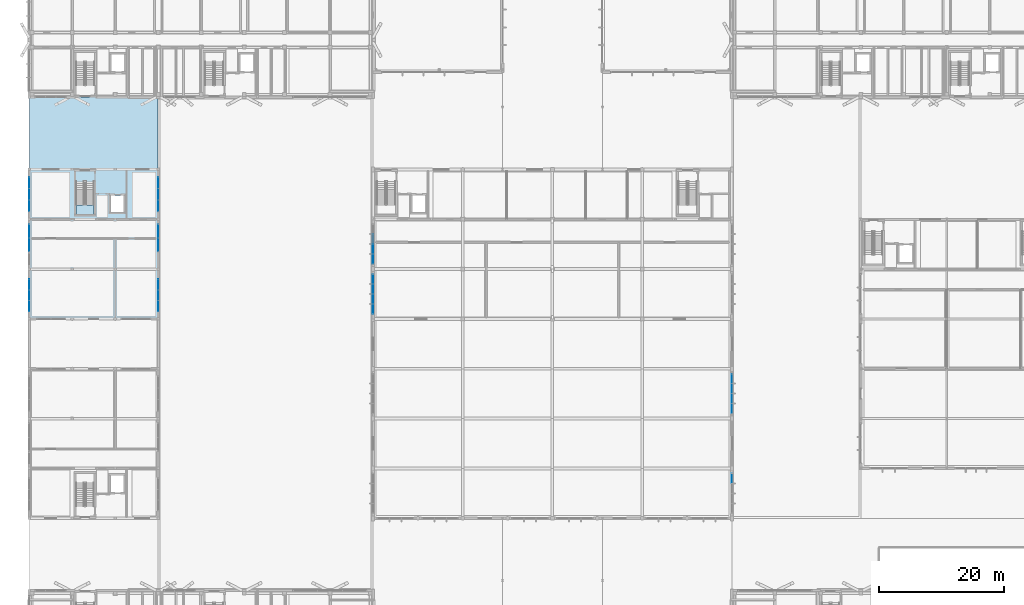
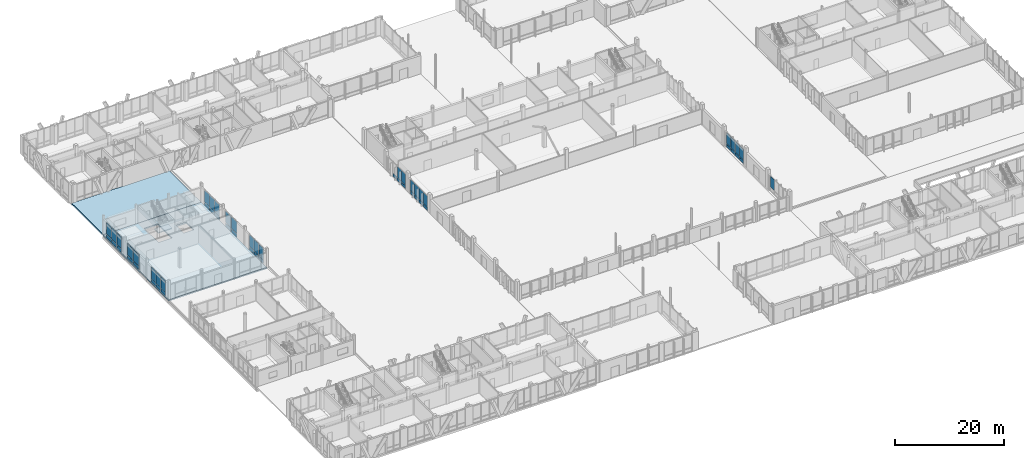
# One storey, part 181 of 233: 54 plates, 3 slabs, 11 elements without a shape of their own.
"""IFC4 building model written with IfcOpenShell, lengths in metres."""

import ifcopenshell
import ifcopenshell.guid

model = None  # the IFC model being written
_history = None  # IfcOwnerHistory: only IFC2X3 demands one
_inside = {}  # id of a spatial element -> (the spatial element, [elements in it])
_under = {}  # id of a project, library or spatial element -> (it, [spatial elements below it])
_declared = {}  # id of a project -> (the project, [libraries it declares])
_typed = {}  # id of a type object -> (the type object, [elements of that type])
_made_of = {}  # id of a material, layer set ... -> (it, [elements and type objects made of it])


def new_model(schema):
    """Start an empty IFC model of exactly this schema.

    Asked for "IFC4X3", IfcOpenShell would pick the latest addendum, in which some entities
    have other attributes; the version numbers below select the first issue.
    IFC2X3 requires an IfcOwnerHistory on every rooted entity: one is made here for all.
    """
    global model, _history
    if schema == "IFC4X3":
        model = ifcopenshell.file(schema_version=(4, 3, 0, 0))
    else:
        model = ifcopenshell.file(schema=schema)
    _inside.clear()
    _under.clear()
    _declared.clear()
    _typed.clear()
    _made_of.clear()
    _history = None
    if model.schema == "IFC2X3":
        org = make("IfcOrganization", Name="unknown")
        user = make(
            "IfcPersonAndOrganization",
            ThePerson=make("IfcPerson", FamilyName="unknown"),
            TheOrganization=org,
        )
        app = make(
            "IfcApplication",
            ApplicationDeveloper=org,
            Version="unknown",
            ApplicationFullName="unknown",
            ApplicationIdentifier="unknown",
        )
        _history = make(
            "IfcOwnerHistory",
            OwningUser=user,
            OwningApplication=app,
            ChangeAction="ADDED",
            CreationDate=0,
        )
    return model


def make(cls, **values):
    """One entity of the class cls with the attributes given. An attribute that is None is left unset."""
    return model.create_entity(
        cls, **{name: value for name, value in values.items() if value is not None}
    )


def rooted(cls, **values):
    """An entity with a GlobalId (a new one), such as an element, a storey or a relation."""
    return make(cls, GlobalId=ifcopenshell.guid.new(), OwnerHistory=_history, **values)


def si_unit(unit_type, name, prefix=None):
    """IfcSIUnit, for example si_unit("LENGTHUNIT", "METRE", prefix="MILLI")."""
    return make("IfcSIUnit", UnitType=unit_type, Prefix=prefix, Name=name)


def assignment(units):
    """IfcUnitAssignment: the units of a project."""
    return None if units is None else make("IfcUnitAssignment", Units=units)


def point(xyz):
    """IfcCartesianPoint."""
    return None if xyz is None else make("IfcCartesianPoint", Coordinates=xyz)


def direction(xyz):
    """IfcDirection."""
    return None if xyz is None else make("IfcDirection", DirectionRatios=xyz)


def frame(location, z_axis=None, x_axis=None):
    """IfcAxis2Placement3D, a coordinate frame: its origin and axes. An axis left out is left unset."""
    return make(
        "IfcAxis2Placement3D",
        Location=point(location),
        Axis=direction(z_axis),
        RefDirection=direction(x_axis),
    )


def frame_2d(location, x_axis=None):
    """IfcAxis2Placement2D, a coordinate frame in the plane: its origin and x axis."""
    return make(
        "IfcAxis2Placement2D", Location=point(location), RefDirection=direction(x_axis)
    )


def origin():
    """The frame at (0, 0, 0) with its axes left unset."""
    return frame((0.0, 0.0, 0.0))


def origin_2d():
    """The frame at (0, 0) in the plane with its x axis left unset."""
    return frame_2d((0.0, 0.0))


def place(relative_to, where):
    """IfcLocalPlacement: puts the frame where relative to a parent placement (None: the world)."""
    return make(
        "IfcLocalPlacement", PlacementRelTo=relative_to, RelativePlacement=where
    )


def context(
    kind, dimensions, precision=None, world=None, true_north=None, identifier=None
):
    """IfcGeometricRepresentationContext, for example the 3D "Model" context."""
    return make(
        "IfcGeometricRepresentationContext",
        ContextIdentifier=identifier,
        ContextType=kind,
        CoordinateSpaceDimension=dimensions,
        Precision=precision,
        WorldCoordinateSystem=world,
        TrueNorth=true_north,
    )


def subcontext(parent, identifier, kind, view, scale=None):
    """IfcGeometricRepresentationSubContext, for example "Body" below "Model"."""
    return make(
        "IfcGeometricRepresentationSubContext",
        ContextIdentifier=identifier,
        ContextType=kind,
        ParentContext=parent,
        TargetScale=scale,
        TargetView=view,
    )


def project(units=None, contexts=None):
    """IfcProject with its units and contexts."""
    return rooted(
        "IfcProject",
        Name="project",
        RepresentationContexts=contexts,
        UnitsInContext=assignment(units),
    )


def spatial(cls, under=None, at=None, **own):
    """A site, building, storey or space (cls), placed at a placement, below another one or the project."""
    s = rooted(cls, ObjectPlacement=at, **own)
    if under is not None:
        _under.setdefault(under.id(), (under, []))[1].append(s)
    return s


def polyline(points):
    """IfcPolyline through the points."""
    return make("IfcPolyline", Points=[point(p) for p in points])


def profile(cls, at=None, kind="AREA", **sizes):
    """A parametric profile (cls). Its sizes go by their IFC names, for example OverallWidth=200.0."""
    return make(cls, ProfileType=kind, Position=at, **sizes)


def rectangle(**sizes):
    """IfcRectangleProfileDef."""
    return profile("IfcRectangleProfileDef", **sizes)


def outline(outer, holes=None, kind="AREA"):
    """IfcArbitraryClosedProfileDef: a profile drawn as a closed curve; with holes, ...WithVoids."""
    if holes is None:
        return make("IfcArbitraryClosedProfileDef", ProfileType=kind, OuterCurve=outer)
    return make(
        "IfcArbitraryProfileDefWithVoids",
        ProfileType=kind,
        OuterCurve=outer,
        InnerCurves=holes,
    )


def extrude(swept, where, along, depth):
    """IfcExtrudedAreaSolid: the profile swept, set in the frame where, extruded along a direction by depth."""
    return make(
        "IfcExtrudedAreaSolid",
        SweptArea=swept,
        Position=where,
        ExtrudedDirection=direction(along),
        Depth=depth,
    )


def shape(context_of_items, identifier, shape_type, items):
    """IfcShapeRepresentation: the items that make up one representation, for example the "Body"."""
    return make(
        "IfcShapeRepresentation",
        ContextOfItems=context_of_items,
        RepresentationIdentifier=identifier,
        RepresentationType=shape_type,
        Items=items,
    )


def material(Name=None, Category=None):
    """IfcMaterial."""
    return make("IfcMaterial", Name=Name, Category=Category)


def layer(
    of_material, thickness, ventilated=None, Name=None, Category=None, Priority=None
):
    """IfcMaterialLayer: one layer of a wall or slab, of a material (None: an air gap)."""
    return make(
        "IfcMaterialLayer",
        Material=of_material,
        LayerThickness=thickness,
        IsVentilated=ventilated,
        Name=Name,
        Category=Category,
        Priority=Priority,
    )


def layer_set(layers, Name=None):
    """IfcMaterialLayerSet."""
    return make("IfcMaterialLayerSet", MaterialLayers=layers, LayerSetName=Name)


def made_of(thing, what):
    """Note that an element or type object is made of a material, layer set ...; save() writes the relation."""
    if what is not None:
        _made_of.setdefault(what.id(), (what, []))[1].append(thing)
    return thing


def type_object(cls, material=None, **own):
    """A type object (cls), such as IfcWallType, which elements share."""
    return made_of(rooted(cls, **own), material)


def element(
    cls,
    number,
    at=None,
    inside=None,
    cuts=None,
    type_object=None,
    material=None,
    context=None,
    identifier="Body",
    shape_type=None,
    held_by="IfcProductDefinitionShape",
    body=None,
    shapes=None,
    **own,
):
    """One element of the class cls, such as IfcWall. Its Tag is "e" and its number.

    at: its placement. inside: the storey or other place that contains it. cuts: it is an
    opening in that element (IfcRelVoidsElement). A single representation is given by context,
    identifier, shape_type and body (its items); several are given by shapes. held_by: the class
    of the entity that holds the representations. save() writes the other relations.
    """
    e = rooted(cls, Tag="e%d" % number, ObjectPlacement=at, **own)
    if body is not None:
        shapes = [shape(context, identifier, shape_type, body)]
    if shapes is not None:
        e.Representation = make(held_by, Representations=shapes)
    if inside is not None:
        _inside.setdefault(inside.id(), (inside, []))[1].append(e)
    if cuts is not None:
        rooted(
            "IfcRelVoidsElement", RelatingBuildingElement=cuts, RelatedOpeningElement=e
        )
    if type_object is not None:
        _typed.setdefault(type_object.id(), (type_object, []))[1].append(e)
    return made_of(e, material)


def aggregate(whole, parts):
    """IfcRelAggregates: a whole, such as a stair, and the parts it consists of."""
    return rooted("IfcRelAggregates", RelatingObject=whole, RelatedObjects=parts)


def save(model, path):
    """Write the relations noted so far, then the file.

    IfcRelAggregates (storeys below a building ...), IfcRelContainedInSpatialStructure (elements
    in a storey), IfcRelDefinesByType, IfcRelAssociatesMaterial and IfcRelDeclares: one each for
    every whole, place, type object, material and project.
    """
    for whole, parts in _under.values():
        aggregate(whole, parts)
    for where, things in _inside.values():
        rooted(
            "IfcRelContainedInSpatialStructure",
            RelatedElements=things,
            RelatingStructure=where,
        )
    for kind, things in _typed.values():
        rooted("IfcRelDefinesByType", RelatedObjects=things, RelatingType=kind)
    for what, things in _made_of.values():
        rooted("IfcRelAssociatesMaterial", RelatedObjects=things, RelatingMaterial=what)
    for by, libraries in _declared.values():
        rooted("IfcRelDeclares", RelatingContext=by, RelatedDefinitions=libraries)
    model.write(path)


model = new_model("IFC4")

# Units and contexts
model_context = context("Model", 3, precision=1e-05, world=origin(), true_north=direction((0.0, 1.0)))
body_context = subcontext(model_context, "Body", "Model", "MODEL_VIEW")
ifc_project = project(units=[si_unit("LENGTHUNIT", "METRE"), si_unit("AREAUNIT", "SQUARE_METRE"), si_unit("VOLUMEUNIT", "CUBIC_METRE"), si_unit("PLANEANGLEUNIT", "RADIAN"), si_unit("MASSUNIT", "GRAM", prefix="KILO")], contexts=[model_context])

# Site, building, storey
site_placement = place(None, origin())
site = spatial("IfcSite", under=ifc_project, at=site_placement, CompositionType="ELEMENT")
building_placement = place(site_placement, origin())
building = spatial("IfcBuilding", under=site, at=building_placement, Name="Zavelmont Quarter", CompositionType="ELEMENT")
storey_placement = place(building_placement, origin())
storey = spatial("IfcBuildingStorey", under=building, at=storey_placement, Name="L00", CompositionType="ELEMENT", Elevation=0.0)

# Curtain wall, plates
ifc_material_1 = material(Name="Thermally broken aluminium and double low-E safety glazing", Category="aluminium")
curtain_wall_type_1 = type_object("IfcCurtainWallType", Name="CW-640X336", PredefinedType="NOTDEFINED", material=ifc_material_1)
curtain_wall_1_placement = place(storey_placement, origin())
curtain_wall_1 = element("IfcCurtainWall", 1, at=curtain_wall_1_placement, inside=storey, type_object=curtain_wall_type_1, Name="L00 unitised curtain wall CW-640X336", PredefinedType="NOTDEFINED")
ifc_material_2 = material(Name="Insulated anodised-aluminium spandrel panel", Category="aluminium")
ifc_layer_1 = layer(ifc_material_2, 0.0400390625)
ifc_layer_set_1 = layer_set([ifc_layer_1], Name="Insulated anodised-aluminium spandrel panel")
plate_type_1 = type_object("IfcPlateType", Name="CWP-SPD-1495X700", PredefinedType="CURTAIN_PANEL", material=ifc_layer_set_1)
plate_1_placement = place(storey_placement, frame((55.199951171875, 63.617431640625, 0.06982421875), z_axis=(0.0, 0.0, 1.0), x_axis=(0.0, 1.0, 0.0)))
plate_1 = element("IfcPlate", 2, at=plate_1_placement, type_object=plate_type_1, Name="CW-640X336 panel 1.1", PredefinedType="CURTAIN_PANEL", context=body_context, shape_type="SweptSolid", body=[
    extrude(rectangle(XDim=1.4951171875, YDim=0.0400390625, at=origin_2d()), origin(), (0.0, 0.0, 1.0), 0.700927734375),
])
plate_2_placement = place(storey_placement, frame((55.199951171875, 68.382568359375, 0.06982421875), z_axis=(0.0, 0.0, 1.0), x_axis=(0.0, 1.0, 0.0)))
plate_2 = element("IfcPlate", 3, at=plate_2_placement, type_object=plate_type_1, Name="CW-640X336 panel 4.1", PredefinedType="CURTAIN_PANEL", context=body_context, shape_type="SweptSolid", body=[
    extrude(rectangle(XDim=1.4951171875, YDim=0.0400390625, at=origin_2d()), origin(), (0.0, 0.0, 1.0), 0.700927734375),
])

# Curtain wall, plate
curtain_wall_2_placement = place(storey_placement, origin())
curtain_wall_2 = element("IfcCurtainWall", 4, at=curtain_wall_2_placement, inside=storey, type_object=curtain_wall_type_1, Name="L00 unitised curtain wall CW-640X336", PredefinedType="NOTDEFINED")
plate_3_placement = place(storey_placement, frame((55.199951171875, 71.617431640625, 0.06982421875), z_axis=(0.0, 0.0, 1.0), x_axis=(0.0, 1.0, 0.0)))
plate_3 = element("IfcPlate", 5, at=plate_3_placement, type_object=plate_type_1, Name="CW-640X336 panel 1.1", PredefinedType="CURTAIN_PANEL", context=body_context, shape_type="SweptSolid", body=[
    extrude(rectangle(XDim=1.4951171875, YDim=0.0400390625, at=origin_2d()), origin(), (0.0, 0.0, 1.0), 0.700927734375),
])

# Curtain wall, plates
curtain_wall_3_placement = place(storey_placement, origin())
curtain_wall_3 = element("IfcCurtainWall", 6, at=curtain_wall_3_placement, inside=storey, type_object=curtain_wall_type_1, Name="L00 unitised curtain wall CW-640X336", PredefinedType="NOTDEFINED")
plate_4_placement = place(storey_placement, frame((112.800048828125, 47.617431640625, 0.06982421875), z_axis=(0.0, 0.0, 1.0), x_axis=(0.0, 1.0, 0.0)))
plate_4 = element("IfcPlate", 7, at=plate_4_placement, type_object=plate_type_1, Name="CW-640X336 panel 1.1", PredefinedType="CURTAIN_PANEL", context=body_context, shape_type="SweptSolid", body=[
    extrude(rectangle(XDim=1.4951171875, YDim=0.0400390625, at=origin_2d()), origin(), (0.0, 0.0, 1.0), 0.700927734375),
])
plate_5_placement = place(storey_placement, frame((112.800048828125, 52.382568359375, 0.06982421875), z_axis=(0.0, 0.0, 1.0), x_axis=(0.0, 1.0, 0.0)))
plate_5 = element("IfcPlate", 8, at=plate_5_placement, type_object=plate_type_1, Name="CW-640X336 panel 4.1", PredefinedType="CURTAIN_PANEL", context=body_context, shape_type="SweptSolid", body=[
    extrude(rectangle(XDim=1.4951171875, YDim=0.0400390625, at=origin_2d()), origin(), (0.0, 0.0, 1.0), 0.700927734375),
])

# Plate
ifc_layer_2 = layer(ifc_material_2, 0.0400390625)
ifc_layer_set_2 = layer_set([ifc_layer_2], Name="Insulated anodised-aluminium spandrel panel")
plate_type_2 = type_object("IfcPlateType", Name="CWP-SPD-1530X700", PredefinedType="CURTAIN_PANEL", material=ifc_layer_set_2)
plate_6_placement = place(storey_placement, frame((55.199951171875, 65.199951171875, 0.06982421875), z_axis=(0.0, 0.0, 1.0), x_axis=(0.0, 1.0, 0.0)))
plate_6 = element("IfcPlate", 9, at=plate_6_placement, type_object=plate_type_2, Name="CW-640X336 panel 2.1", PredefinedType="CURTAIN_PANEL", context=body_context, shape_type="SweptSolid", body=[
    extrude(rectangle(XDim=1.530029296875, YDim=0.0400390625, at=origin_2d()), origin(), (0.0, 0.0, 1.0), 0.700927734375),
])

plate_7_placement = place(storey_placement, frame((55.199951171875, 66.800048828125, 0.06982421875), z_axis=(0.0, 0.0, 1.0), x_axis=(0.0, 1.0, 0.0)))
plate_7 = element("IfcPlate", 10, at=plate_7_placement, type_object=plate_type_2, Name="CW-640X336 panel 3.1", PredefinedType="CURTAIN_PANEL", context=body_context, shape_type="SweptSolid", body=[
    extrude(rectangle(XDim=1.530029296875, YDim=0.0400390625, at=origin_2d()), origin(), (0.0, 0.0, 1.0), 0.700927734375),
])

plate_8_placement = place(storey_placement, frame((55.199951171875, 73.199951171875, 0.06982421875), z_axis=(0.0, 0.0, 1.0), x_axis=(0.0, 1.0, 0.0)))
plate_8 = element("IfcPlate", 11, at=plate_8_placement, type_object=plate_type_2, Name="CW-640X336 panel 2.1", PredefinedType="CURTAIN_PANEL", context=body_context, shape_type="SweptSolid", body=[
    extrude(rectangle(XDim=1.530029296875, YDim=0.0400390625, at=origin_2d()), origin(), (0.0, 0.0, 1.0), 0.700927734375),
])

plate_9_placement = place(storey_placement, frame((55.199951171875, 74.800048828125, 0.06982421875), z_axis=(0.0, 0.0, 1.0), x_axis=(0.0, 1.0, 0.0)))
plate_9 = element("IfcPlate", 12, at=plate_9_placement, type_object=plate_type_2, Name="CW-640X336 panel 3.1", PredefinedType="CURTAIN_PANEL", context=body_context, shape_type="SweptSolid", body=[
    extrude(rectangle(XDim=1.530029296875, YDim=0.0400390625, at=origin_2d()), origin(), (0.0, 0.0, 1.0), 0.700927734375),
])

plate_10_placement = place(storey_placement, frame((112.800048828125, 49.199951171875, 0.06982421875), z_axis=(0.0, 0.0, 1.0), x_axis=(0.0, 1.0, 0.0)))
plate_10 = element("IfcPlate", 13, at=plate_10_placement, type_object=plate_type_2, Name="CW-640X336 panel 2.1", PredefinedType="CURTAIN_PANEL", context=body_context, shape_type="SweptSolid", body=[
    extrude(rectangle(XDim=1.530029296875, YDim=0.0400390625, at=origin_2d()), origin(), (0.0, 0.0, 1.0), 0.700927734375),
])

plate_11_placement = place(storey_placement, frame((112.800048828125, 50.800048828125, 0.06982421875), z_axis=(0.0, 0.0, 1.0), x_axis=(0.0, 1.0, 0.0)))
plate_11 = element("IfcPlate", 14, at=plate_11_placement, type_object=plate_type_2, Name="CW-640X336 panel 3.1", PredefinedType="CURTAIN_PANEL", context=body_context, shape_type="SweptSolid", body=[
    extrude(rectangle(XDim=1.530029296875, YDim=0.0400390625, at=origin_2d()), origin(), (0.0, 0.0, 1.0), 0.700927734375),
])

# Curtain wall, plates
curtain_wall_type_2 = type_object("IfcCurtainWallType", Name="CW-520X356", PredefinedType="NOTDEFINED", material=ifc_material_1)
curtain_wall_4_placement = place(storey_placement, origin())
curtain_wall_4 = element("IfcCurtainWall", 15, at=curtain_wall_4_placement, inside=storey, type_object=curtain_wall_type_2, Name="L00 unitised curtain wall CW-520X356", PredefinedType="NOTDEFINED")
ifc_layer_3 = layer(ifc_material_2, 0.0400390625)
ifc_layer_set_3 = layer_set([ifc_layer_3], Name="Insulated anodised-aluminium spandrel panel")
plate_type_3 = type_object("IfcPlateType", Name="CWP-SPD-1645X760", PredefinedType="CURTAIN_PANEL", material=ifc_layer_set_3)
plate_12_placement = place(storey_placement, frame((0.0, 64.081787109375, 0.06005859375), z_axis=(0.0, 0.0, 1.0), x_axis=(0.0, 1.0, 0.0)))
plate_12 = element("IfcPlate", 16, at=plate_12_placement, type_object=plate_type_3, Name="CW-520X356 panel 1.1", PredefinedType="CURTAIN_PANEL", context=body_context, shape_type="SweptSolid", body=[
    extrude(rectangle(XDim=1.643310546875, YDim=0.0400390625, at=origin_2d()), origin(), (0.0, 0.0, 1.0), 0.760009765625),
])
plate_13_placement = place(storey_placement, frame((0.0, 67.518310546875, 0.06005859375), z_axis=(0.0, 0.0, 1.0), x_axis=(0.0, 1.0, 0.0)))
plate_13 = element("IfcPlate", 17, at=plate_13_placement, type_object=plate_type_3, Name="CW-520X356 panel 3.1", PredefinedType="CURTAIN_PANEL", context=body_context, shape_type="SweptSolid", body=[
    extrude(rectangle(XDim=1.643310546875, YDim=0.0400390625, at=origin_2d()), origin(), (0.0, 0.0, 1.0), 0.760009765625),
])

curtain_wall_5_placement = place(storey_placement, origin())
curtain_wall_5 = element("IfcCurtainWall", 18, at=curtain_wall_5_placement, inside=storey, type_object=curtain_wall_type_2, Name="L00 unitised curtain wall CW-520X356", PredefinedType="NOTDEFINED")
plate_14_placement = place(storey_placement, frame((20.699951171875, 64.081787109375, 0.06005859375), z_axis=(0.0, 0.0, 1.0), x_axis=(0.0, 1.0, 0.0)))
plate_14 = element("IfcPlate", 19, at=plate_14_placement, type_object=plate_type_3, Name="CW-520X356 panel 1.1", PredefinedType="CURTAIN_PANEL", context=body_context, shape_type="SweptSolid", body=[
    extrude(rectangle(XDim=1.643310546875, YDim=0.0400390625, at=origin_2d()), origin(), (0.0, 0.0, 1.0), 0.760009765625),
])
plate_15_placement = place(storey_placement, frame((20.699951171875, 67.518310546875, 0.06005859375), z_axis=(0.0, 0.0, 1.0), x_axis=(0.0, 1.0, 0.0)))
plate_15 = element("IfcPlate", 20, at=plate_15_placement, type_object=plate_type_3, Name="CW-520X356 panel 3.1", PredefinedType="CURTAIN_PANEL", context=body_context, shape_type="SweptSolid", body=[
    extrude(rectangle(XDim=1.643310546875, YDim=0.0400390625, at=origin_2d()), origin(), (0.0, 0.0, 1.0), 0.760009765625),
])

# Plate
ifc_layer_4 = layer(ifc_material_2, 0.0400390625)
ifc_layer_set_4 = layer_set([ifc_layer_4], Name="Insulated anodised-aluminium spandrel panel")
plate_type_4 = type_object("IfcPlateType", Name="CWP-SPD-1675X760", PredefinedType="CURTAIN_PANEL", material=ifc_layer_set_4)
plate_16_placement = place(storey_placement, frame((0.0, 65.800048828125, 0.06005859375), z_axis=(0.0, 0.0, 1.0), x_axis=(0.0, 1.0, 0.0)))
plate_16 = element("IfcPlate", 21, at=plate_16_placement, type_object=plate_type_4, Name="CW-520X356 panel 2.1", PredefinedType="CURTAIN_PANEL", context=body_context, shape_type="SweptSolid", body=[
    extrude(rectangle(XDim=1.67333984375, YDim=0.0400390625, at=origin_2d()), origin(), (0.0, 0.0, 1.0), 0.760009765625),
])

plate_17_placement = place(storey_placement, frame((20.699951171875, 65.800048828125, 0.06005859375), z_axis=(0.0, 0.0, 1.0), x_axis=(0.0, 1.0, 0.0)))
plate_17 = element("IfcPlate", 22, at=plate_17_placement, type_object=plate_type_4, Name="CW-520X356 panel 2.1", PredefinedType="CURTAIN_PANEL", context=body_context, shape_type="SweptSolid", body=[
    extrude(rectangle(XDim=1.67333984375, YDim=0.0400390625, at=origin_2d()), origin(), (0.0, 0.0, 1.0), 0.760009765625),
])

# Curtain wall, plates
curtain_wall_type_3 = type_object("IfcCurtainWallType", Name="CW-560X356", PredefinedType="NOTDEFINED", material=ifc_material_1)
curtain_wall_6_placement = place(storey_placement, origin())
curtain_wall_6 = element("IfcCurtainWall", 23, at=curtain_wall_6_placement, inside=storey, type_object=curtain_wall_type_3, Name="L00 unitised curtain wall CW-560X356", PredefinedType="NOTDEFINED")
ifc_layer_5 = layer(ifc_material_2, 0.0400390625)
ifc_layer_set_5 = layer_set([ifc_layer_5], Name="Insulated anodised-aluminium spandrel panel")
plate_type_5 = type_object("IfcPlateType", Name="CWP-SPD-1775X760", PredefinedType="CURTAIN_PANEL", material=ifc_layer_set_5)
plate_18_placement = place(storey_placement, frame((0.0, 80.1484375, 0.06005859375), z_axis=(0.0, 0.0, 1.0), x_axis=(0.0, 1.0, 0.0)))
plate_18 = element("IfcPlate", 24, at=plate_18_placement, type_object=plate_type_5, Name="CW-560X356 panel 1.1", PredefinedType="CURTAIN_PANEL", context=body_context, shape_type="SweptSolid", body=[
    extrude(rectangle(XDim=1.776611328125, YDim=0.0400390625, at=origin_2d()), origin(), (0.0, 0.0, 1.0), 0.760009765625),
])
plate_19_placement = place(storey_placement, frame((0.0, 83.8515625, 0.06005859375), z_axis=(0.0, 0.0, 1.0), x_axis=(0.0, 1.0, 0.0)))
plate_19 = element("IfcPlate", 25, at=plate_19_placement, type_object=plate_type_5, Name="CW-560X356 panel 3.1", PredefinedType="CURTAIN_PANEL", context=body_context, shape_type="SweptSolid", body=[
    extrude(rectangle(XDim=1.776611328125, YDim=0.0400390625, at=origin_2d()), origin(), (0.0, 0.0, 1.0), 0.760009765625),
])

curtain_wall_7_placement = place(storey_placement, origin())
curtain_wall_7 = element("IfcCurtainWall", 26, at=curtain_wall_7_placement, inside=storey, type_object=curtain_wall_type_3, Name="L00 unitised curtain wall CW-560X356", PredefinedType="NOTDEFINED")
plate_20_placement = place(storey_placement, frame((20.699951171875, 80.1484375, 0.06005859375), z_axis=(0.0, 0.0, 1.0), x_axis=(0.0, 1.0, 0.0)))
plate_20 = element("IfcPlate", 27, at=plate_20_placement, type_object=plate_type_5, Name="CW-560X356 panel 1.1", PredefinedType="CURTAIN_PANEL", context=body_context, shape_type="SweptSolid", body=[
    extrude(rectangle(XDim=1.776611328125, YDim=0.0400390625, at=origin_2d()), origin(), (0.0, 0.0, 1.0), 0.760009765625),
])
plate_21_placement = place(storey_placement, frame((20.699951171875, 83.8515625, 0.06005859375), z_axis=(0.0, 0.0, 1.0), x_axis=(0.0, 1.0, 0.0)))
plate_21 = element("IfcPlate", 28, at=plate_21_placement, type_object=plate_type_5, Name="CW-560X356 panel 3.1", PredefinedType="CURTAIN_PANEL", context=body_context, shape_type="SweptSolid", body=[
    extrude(rectangle(XDim=1.776611328125, YDim=0.0400390625, at=origin_2d()), origin(), (0.0, 0.0, 1.0), 0.760009765625),
])

# Plate
ifc_layer_6 = layer(ifc_material_2, 0.0400390625)
ifc_layer_set_6 = layer_set([ifc_layer_6], Name="Insulated anodised-aluminium spandrel panel")
plate_type_6 = type_object("IfcPlateType", Name="CWP-SPD-1805X760", PredefinedType="CURTAIN_PANEL", material=ifc_layer_set_6)
plate_22_placement = place(storey_placement, frame((0.0, 82.0, 0.06005859375), z_axis=(0.0, 0.0, 1.0), x_axis=(0.0, 1.0, 0.0)))
plate_22 = element("IfcPlate", 29, at=plate_22_placement, type_object=plate_type_6, Name="CW-560X356 panel 2.1", PredefinedType="CURTAIN_PANEL", context=body_context, shape_type="SweptSolid", body=[
    extrude(rectangle(XDim=1.806640625, YDim=0.0400390625, at=origin_2d()), origin(), (0.0, 0.0, 1.0), 0.760009765625),
])

plate_23_placement = place(storey_placement, frame((20.699951171875, 82.0, 0.06005859375), z_axis=(0.0, 0.0, 1.0), x_axis=(0.0, 1.0, 0.0)))
plate_23 = element("IfcPlate", 30, at=plate_23_placement, type_object=plate_type_6, Name="CW-560X356 panel 2.1", PredefinedType="CURTAIN_PANEL", context=body_context, shape_type="SweptSolid", body=[
    extrude(rectangle(XDim=1.806640625, YDim=0.0400390625, at=origin_2d()), origin(), (0.0, 0.0, 1.0), 0.760009765625),
])

# Curtain wall, plates
curtain_wall_type_4 = type_object("IfcCurtainWallType", Name="CW-440X356", PredefinedType="NOTDEFINED", material=ifc_material_1)
curtain_wall_8_placement = place(storey_placement, origin())
curtain_wall_8 = element("IfcCurtainWall", 31, at=curtain_wall_8_placement, inside=storey, type_object=curtain_wall_type_4, Name="L00 unitised curtain wall CW-440X356", PredefinedType="NOTDEFINED")
ifc_layer_7 = layer(ifc_material_2, 0.0400390625)
ifc_layer_set_7 = layer_set([ifc_layer_7], Name="Insulated anodised-aluminium spandrel panel")
plate_type_7 = type_object("IfcPlateType", Name="CWP-SPD-2110X760", PredefinedType="CURTAIN_PANEL", material=ifc_layer_set_7)
plate_24_placement = place(storey_placement, frame((0.0, 73.9150390625, 0.06005859375), z_axis=(0.0, 0.0, 1.0), x_axis=(0.0, 1.0, 0.0)))
plate_24 = element("IfcPlate", 32, at=plate_24_placement, type_object=plate_type_7, Name="CW-440X356 panel 1.1", PredefinedType="CURTAIN_PANEL", context=body_context, shape_type="SweptSolid", body=[
    extrude(rectangle(XDim=2.110107421875, YDim=0.0400390625, at=origin_2d()), origin(), (0.0, 0.0, 1.0), 0.760009765625),
])
plate_25_placement = place(storey_placement, frame((0.0, 76.0849609375, 0.06005859375), z_axis=(0.0, 0.0, 1.0), x_axis=(0.0, 1.0, 0.0)))
plate_25 = element("IfcPlate", 33, at=plate_25_placement, type_object=plate_type_7, Name="CW-440X356 panel 2.1", PredefinedType="CURTAIN_PANEL", context=body_context, shape_type="SweptSolid", body=[
    extrude(rectangle(XDim=2.110107421875, YDim=0.0400390625, at=origin_2d()), origin(), (0.0, 0.0, 1.0), 0.760009765625),
])

curtain_wall_9_placement = place(storey_placement, origin())
curtain_wall_9 = element("IfcCurtainWall", 34, at=curtain_wall_9_placement, inside=storey, type_object=curtain_wall_type_4, Name="L00 unitised curtain wall CW-440X356", PredefinedType="NOTDEFINED")
plate_26_placement = place(storey_placement, frame((20.699951171875, 73.9150390625, 0.06005859375), z_axis=(0.0, 0.0, 1.0), x_axis=(0.0, 1.0, 0.0)))
plate_26 = element("IfcPlate", 35, at=plate_26_placement, type_object=plate_type_7, Name="CW-440X356 panel 1.1", PredefinedType="CURTAIN_PANEL", context=body_context, shape_type="SweptSolid", body=[
    extrude(rectangle(XDim=2.110107421875, YDim=0.0400390625, at=origin_2d()), origin(), (0.0, 0.0, 1.0), 0.760009765625),
])
plate_27_placement = place(storey_placement, frame((20.699951171875, 76.0849609375, 0.06005859375), z_axis=(0.0, 0.0, 1.0), x_axis=(0.0, 1.0, 0.0)))
plate_27 = element("IfcPlate", 36, at=plate_27_placement, type_object=plate_type_7, Name="CW-440X356 panel 2.1", PredefinedType="CURTAIN_PANEL", context=body_context, shape_type="SweptSolid", body=[
    extrude(rectangle(XDim=2.110107421875, YDim=0.0400390625, at=origin_2d()), origin(), (0.0, 0.0, 1.0), 0.760009765625),
])

# Plate
ifc_material_3 = material(Name="Double low-E insulated vision glass", Category="glass")
ifc_layer_8 = layer(ifc_material_3, 0.028076171875)
ifc_layer_set_8 = layer_set([ifc_layer_8], Name="Double low-E insulated vision glass")
plate_type_8 = type_object("IfcPlateType", Name="CWP-VIS-1495X2450", PredefinedType="CURTAIN_PANEL", material=ifc_layer_set_8)
plate_28_placement = place(storey_placement, frame((55.199951171875, 63.617431640625, 0.8408203125), z_axis=(0.0, 0.0, 1.0), x_axis=(0.0, 1.0, 0.0)))
plate_28 = element("IfcPlate", 37, at=plate_28_placement, type_object=plate_type_8, Name="CW-640X336 panel 1.2", PredefinedType="CURTAIN_PANEL", context=body_context, shape_type="SweptSolid", body=[
    extrude(rectangle(XDim=1.4951171875, YDim=0.028076171875, at=origin_2d()), origin(), (0.0, 0.0, 1.0), 2.448974609375),
])

plate_29_placement = place(storey_placement, frame((55.199951171875, 68.382568359375, 0.8408203125), z_axis=(0.0, 0.0, 1.0), x_axis=(0.0, 1.0, 0.0)))
plate_29 = element("IfcPlate", 38, at=plate_29_placement, type_object=plate_type_8, Name="CW-640X336 panel 4.2", PredefinedType="CURTAIN_PANEL", context=body_context, shape_type="SweptSolid", body=[
    extrude(rectangle(XDim=1.4951171875, YDim=0.028076171875, at=origin_2d()), origin(), (0.0, 0.0, 1.0), 2.448974609375),
])

plate_30_placement = place(storey_placement, frame((55.199951171875, 71.617431640625, 0.8408203125), z_axis=(0.0, 0.0, 1.0), x_axis=(0.0, 1.0, 0.0)))
plate_30 = element("IfcPlate", 39, at=plate_30_placement, type_object=plate_type_8, Name="CW-640X336 panel 1.2", PredefinedType="CURTAIN_PANEL", context=body_context, shape_type="SweptSolid", body=[
    extrude(rectangle(XDim=1.4951171875, YDim=0.028076171875, at=origin_2d()), origin(), (0.0, 0.0, 1.0), 2.448974609375),
])

# Curtain wall, plate
curtain_wall_10_placement = place(storey_placement, origin())
curtain_wall_10 = element("IfcCurtainWall", 40, at=curtain_wall_10_placement, inside=storey, type_object=curtain_wall_type_1, Name="L00 unitised curtain wall CW-640X336", PredefinedType="NOTDEFINED")
plate_31_placement = place(storey_placement, frame((112.800048828125, 36.382568359375, 0.8408203125), z_axis=(0.0, 0.0, 1.0), x_axis=(0.0, 1.0, 0.0)))
plate_31 = element("IfcPlate", 41, at=plate_31_placement, type_object=plate_type_8, Name="CW-640X336 panel 4.2", PredefinedType="CURTAIN_PANEL", context=body_context, shape_type="SweptSolid", body=[
    extrude(rectangle(XDim=1.4951171875, YDim=0.028076171875, at=origin_2d()), origin(), (0.0, 0.0, 1.0), 2.448974609375),
])
aggregate(curtain_wall_10, [plate_31])

# Plate
plate_32_placement = place(storey_placement, frame((112.800048828125, 47.617431640625, 0.8408203125), z_axis=(0.0, 0.0, 1.0), x_axis=(0.0, 1.0, 0.0)))
plate_32 = element("IfcPlate", 42, at=plate_32_placement, type_object=plate_type_8, Name="CW-640X336 panel 1.2", PredefinedType="CURTAIN_PANEL", context=body_context, shape_type="SweptSolid", body=[
    extrude(rectangle(XDim=1.4951171875, YDim=0.028076171875, at=origin_2d()), origin(), (0.0, 0.0, 1.0), 2.448974609375),
])

plate_33_placement = place(storey_placement, frame((112.800048828125, 52.382568359375, 0.8408203125), z_axis=(0.0, 0.0, 1.0), x_axis=(0.0, 1.0, 0.0)))
plate_33 = element("IfcPlate", 43, at=plate_33_placement, type_object=plate_type_8, Name="CW-640X336 panel 4.2", PredefinedType="CURTAIN_PANEL", context=body_context, shape_type="SweptSolid", body=[
    extrude(rectangle(XDim=1.4951171875, YDim=0.028076171875, at=origin_2d()), origin(), (0.0, 0.0, 1.0), 2.448974609375),
])

ifc_layer_9 = layer(ifc_material_3, 0.028076171875)
ifc_layer_set_9 = layer_set([ifc_layer_9], Name="Double low-E insulated vision glass")
plate_type_9 = type_object("IfcPlateType", Name="CWP-VIS-1530X2450", PredefinedType="CURTAIN_PANEL", material=ifc_layer_set_9)
plate_34_placement = place(storey_placement, frame((55.199951171875, 65.199951171875, 0.8408203125), z_axis=(0.0, 0.0, 1.0), x_axis=(0.0, 1.0, 0.0)))
plate_34 = element("IfcPlate", 44, at=plate_34_placement, type_object=plate_type_9, Name="CW-640X336 panel 2.2", PredefinedType="CURTAIN_PANEL", context=body_context, shape_type="SweptSolid", body=[
    extrude(rectangle(XDim=1.530029296875, YDim=0.028076171875, at=origin_2d()), origin(), (0.0, 0.0, 1.0), 2.448974609375),
])

plate_35_placement = place(storey_placement, frame((55.199951171875, 66.800048828125, 0.8408203125), z_axis=(0.0, 0.0, 1.0), x_axis=(0.0, 1.0, 0.0)))
plate_35 = element("IfcPlate", 45, at=plate_35_placement, type_object=plate_type_9, Name="CW-640X336 panel 3.2", PredefinedType="CURTAIN_PANEL", context=body_context, shape_type="SweptSolid", body=[
    extrude(rectangle(XDim=1.530029296875, YDim=0.028076171875, at=origin_2d()), origin(), (0.0, 0.0, 1.0), 2.448974609375),
])

aggregate(curtain_wall_1, [plate_1, plate_28, plate_6, plate_34, plate_7, plate_35, plate_2, plate_29])

plate_36_placement = place(storey_placement, frame((55.199951171875, 73.199951171875, 0.8408203125), z_axis=(0.0, 0.0, 1.0), x_axis=(0.0, 1.0, 0.0)))
plate_36 = element("IfcPlate", 46, at=plate_36_placement, type_object=plate_type_9, Name="CW-640X336 panel 2.2", PredefinedType="CURTAIN_PANEL", context=body_context, shape_type="SweptSolid", body=[
    extrude(rectangle(XDim=1.530029296875, YDim=0.028076171875, at=origin_2d()), origin(), (0.0, 0.0, 1.0), 2.448974609375),
])

aggregate(curtain_wall_2, [plate_3, plate_30, plate_8, plate_36, plate_9])

plate_37_placement = place(storey_placement, frame((112.800048828125, 49.199951171875, 0.8408203125), z_axis=(0.0, 0.0, 1.0), x_axis=(0.0, 1.0, 0.0)))
plate_37 = element("IfcPlate", 47, at=plate_37_placement, type_object=plate_type_9, Name="CW-640X336 panel 2.2", PredefinedType="CURTAIN_PANEL", context=body_context, shape_type="SweptSolid", body=[
    extrude(rectangle(XDim=1.530029296875, YDim=0.028076171875, at=origin_2d()), origin(), (0.0, 0.0, 1.0), 2.448974609375),
])

plate_38_placement = place(storey_placement, frame((112.800048828125, 50.800048828125, 0.8408203125), z_axis=(0.0, 0.0, 1.0), x_axis=(0.0, 1.0, 0.0)))
plate_38 = element("IfcPlate", 48, at=plate_38_placement, type_object=plate_type_9, Name="CW-640X336 panel 3.2", PredefinedType="CURTAIN_PANEL", context=body_context, shape_type="SweptSolid", body=[
    extrude(rectangle(XDim=1.530029296875, YDim=0.028076171875, at=origin_2d()), origin(), (0.0, 0.0, 1.0), 2.448974609375),
])

aggregate(curtain_wall_3, [plate_4, plate_32, plate_10, plate_37, plate_11, plate_38, plate_5, plate_33])

ifc_layer_10 = layer(ifc_material_3, 0.028076171875)
ifc_layer_set_10 = layer_set([ifc_layer_10], Name="Double low-E insulated vision glass")
plate_type_10 = type_object("IfcPlateType", Name="CWP-VIS-1645X2620", PredefinedType="CURTAIN_PANEL", material=ifc_layer_set_10)
plate_39_placement = place(storey_placement, frame((0.0, 64.081787109375, 0.8798828125), z_axis=(0.0, 0.0, 1.0), x_axis=(0.0, 1.0, 0.0)))
plate_39 = element("IfcPlate", 49, at=plate_39_placement, type_object=plate_type_10, Name="CW-520X356 panel 1.2", PredefinedType="CURTAIN_PANEL", context=body_context, shape_type="SweptSolid", body=[
    extrude(rectangle(XDim=1.643310546875, YDim=0.028076171875, at=origin_2d()), origin(), (0.0, 0.0, 1.0), 2.6201171875),
])

plate_40_placement = place(storey_placement, frame((0.0, 67.518310546875, 0.8798828125), z_axis=(0.0, 0.0, 1.0), x_axis=(0.0, 1.0, 0.0)))
plate_40 = element("IfcPlate", 50, at=plate_40_placement, type_object=plate_type_10, Name="CW-520X356 panel 3.2", PredefinedType="CURTAIN_PANEL", context=body_context, shape_type="SweptSolid", body=[
    extrude(rectangle(XDim=1.643310546875, YDim=0.028076171875, at=origin_2d()), origin(), (0.0, 0.0, 1.0), 2.6201171875),
])

plate_41_placement = place(storey_placement, frame((20.699951171875, 64.081787109375, 0.8798828125), z_axis=(0.0, 0.0, 1.0), x_axis=(0.0, 1.0, 0.0)))
plate_41 = element("IfcPlate", 51, at=plate_41_placement, type_object=plate_type_10, Name="CW-520X356 panel 1.2", PredefinedType="CURTAIN_PANEL", context=body_context, shape_type="SweptSolid", body=[
    extrude(rectangle(XDim=1.643310546875, YDim=0.028076171875, at=origin_2d()), origin(), (0.0, 0.0, 1.0), 2.6201171875),
])

plate_42_placement = place(storey_placement, frame((20.699951171875, 67.518310546875, 0.8798828125), z_axis=(0.0, 0.0, 1.0), x_axis=(0.0, 1.0, 0.0)))
plate_42 = element("IfcPlate", 52, at=plate_42_placement, type_object=plate_type_10, Name="CW-520X356 panel 3.2", PredefinedType="CURTAIN_PANEL", context=body_context, shape_type="SweptSolid", body=[
    extrude(rectangle(XDim=1.643310546875, YDim=0.028076171875, at=origin_2d()), origin(), (0.0, 0.0, 1.0), 2.6201171875),
])

ifc_layer_11 = layer(ifc_material_3, 0.028076171875)
ifc_layer_set_11 = layer_set([ifc_layer_11], Name="Double low-E insulated vision glass")
plate_type_11 = type_object("IfcPlateType", Name="CWP-VIS-1675X2620", PredefinedType="CURTAIN_PANEL", material=ifc_layer_set_11)
plate_43_placement = place(storey_placement, frame((0.0, 65.800048828125, 0.8798828125), z_axis=(0.0, 0.0, 1.0), x_axis=(0.0, 1.0, 0.0)))
plate_43 = element("IfcPlate", 53, at=plate_43_placement, type_object=plate_type_11, Name="CW-520X356 panel 2.2", PredefinedType="CURTAIN_PANEL", context=body_context, shape_type="SweptSolid", body=[
    extrude(rectangle(XDim=1.67333984375, YDim=0.028076171875, at=origin_2d()), origin(), (0.0, 0.0, 1.0), 2.6201171875),
])

aggregate(curtain_wall_4, [plate_12, plate_39, plate_16, plate_43, plate_13, plate_40])

plate_44_placement = place(storey_placement, frame((20.699951171875, 65.800048828125, 0.8798828125), z_axis=(0.0, 0.0, 1.0), x_axis=(0.0, 1.0, 0.0)))
plate_44 = element("IfcPlate", 54, at=plate_44_placement, type_object=plate_type_11, Name="CW-520X356 panel 2.2", PredefinedType="CURTAIN_PANEL", context=body_context, shape_type="SweptSolid", body=[
    extrude(rectangle(XDim=1.67333984375, YDim=0.028076171875, at=origin_2d()), origin(), (0.0, 0.0, 1.0), 2.6201171875),
])

aggregate(curtain_wall_5, [plate_14, plate_41, plate_17, plate_44, plate_15, plate_42])

ifc_layer_12 = layer(ifc_material_3, 0.028076171875)
ifc_layer_set_12 = layer_set([ifc_layer_12], Name="Double low-E insulated vision glass")
plate_type_12 = type_object("IfcPlateType", Name="CWP-VIS-1775X2620", PredefinedType="CURTAIN_PANEL", material=ifc_layer_set_12)
plate_45_placement = place(storey_placement, frame((0.0, 80.1484375, 0.8798828125), z_axis=(0.0, 0.0, 1.0), x_axis=(0.0, 1.0, 0.0)))
plate_45 = element("IfcPlate", 55, at=plate_45_placement, type_object=plate_type_12, Name="CW-560X356 panel 1.2", PredefinedType="CURTAIN_PANEL", context=body_context, shape_type="SweptSolid", body=[
    extrude(rectangle(XDim=1.776611328125, YDim=0.028076171875, at=origin_2d()), origin(), (0.0, 0.0, 1.0), 2.6201171875),
])

plate_46_placement = place(storey_placement, frame((0.0, 83.8515625, 0.8798828125), z_axis=(0.0, 0.0, 1.0), x_axis=(0.0, 1.0, 0.0)))
plate_46 = element("IfcPlate", 56, at=plate_46_placement, type_object=plate_type_12, Name="CW-560X356 panel 3.2", PredefinedType="CURTAIN_PANEL", context=body_context, shape_type="SweptSolid", body=[
    extrude(rectangle(XDim=1.776611328125, YDim=0.028076171875, at=origin_2d()), origin(), (0.0, 0.0, 1.0), 2.6201171875),
])

plate_47_placement = place(storey_placement, frame((20.699951171875, 80.1484375, 0.8798828125), z_axis=(0.0, 0.0, 1.0), x_axis=(0.0, 1.0, 0.0)))
plate_47 = element("IfcPlate", 57, at=plate_47_placement, type_object=plate_type_12, Name="CW-560X356 panel 1.2", PredefinedType="CURTAIN_PANEL", context=body_context, shape_type="SweptSolid", body=[
    extrude(rectangle(XDim=1.776611328125, YDim=0.028076171875, at=origin_2d()), origin(), (0.0, 0.0, 1.0), 2.6201171875),
])

plate_48_placement = place(storey_placement, frame((20.699951171875, 83.8515625, 0.8798828125), z_axis=(0.0, 0.0, 1.0), x_axis=(0.0, 1.0, 0.0)))
plate_48 = element("IfcPlate", 58, at=plate_48_placement, type_object=plate_type_12, Name="CW-560X356 panel 3.2", PredefinedType="CURTAIN_PANEL", context=body_context, shape_type="SweptSolid", body=[
    extrude(rectangle(XDim=1.776611328125, YDim=0.028076171875, at=origin_2d()), origin(), (0.0, 0.0, 1.0), 2.6201171875),
])

ifc_layer_13 = layer(ifc_material_3, 0.028076171875)
ifc_layer_set_13 = layer_set([ifc_layer_13], Name="Double low-E insulated vision glass")
plate_type_13 = type_object("IfcPlateType", Name="CWP-VIS-1805X2620", PredefinedType="CURTAIN_PANEL", material=ifc_layer_set_13)
plate_49_placement = place(storey_placement, frame((0.0, 82.0, 0.8798828125), z_axis=(0.0, 0.0, 1.0), x_axis=(0.0, 1.0, 0.0)))
plate_49 = element("IfcPlate", 59, at=plate_49_placement, type_object=plate_type_13, Name="CW-560X356 panel 2.2", PredefinedType="CURTAIN_PANEL", context=body_context, shape_type="SweptSolid", body=[
    extrude(rectangle(XDim=1.806640625, YDim=0.028076171875, at=origin_2d()), origin(), (0.0, 0.0, 1.0), 2.6201171875),
])

aggregate(curtain_wall_6, [plate_18, plate_45, plate_22, plate_49, plate_19, plate_46])

plate_50_placement = place(storey_placement, frame((20.699951171875, 82.0, 0.8798828125), z_axis=(0.0, 0.0, 1.0), x_axis=(0.0, 1.0, 0.0)))
plate_50 = element("IfcPlate", 60, at=plate_50_placement, type_object=plate_type_13, Name="CW-560X356 panel 2.2", PredefinedType="CURTAIN_PANEL", context=body_context, shape_type="SweptSolid", body=[
    extrude(rectangle(XDim=1.806640625, YDim=0.028076171875, at=origin_2d()), origin(), (0.0, 0.0, 1.0), 2.6201171875),
])

aggregate(curtain_wall_7, [plate_20, plate_47, plate_23, plate_50, plate_21, plate_48])

ifc_layer_14 = layer(ifc_material_3, 0.028076171875)
ifc_layer_set_14 = layer_set([ifc_layer_14], Name="Double low-E insulated vision glass")
plate_type_14 = type_object("IfcPlateType", Name="CWP-VIS-2110X2620", PredefinedType="CURTAIN_PANEL", material=ifc_layer_set_14)
plate_51_placement = place(storey_placement, frame((0.0, 73.9150390625, 0.8798828125), z_axis=(0.0, 0.0, 1.0), x_axis=(0.0, 1.0, 0.0)))
plate_51 = element("IfcPlate", 61, at=plate_51_placement, type_object=plate_type_14, Name="CW-440X356 panel 1.2", PredefinedType="CURTAIN_PANEL", context=body_context, shape_type="SweptSolid", body=[
    extrude(rectangle(XDim=2.110107421875, YDim=0.028076171875, at=origin_2d()), origin(), (0.0, 0.0, 1.0), 2.6201171875),
])

plate_52_placement = place(storey_placement, frame((0.0, 76.0849609375, 0.8798828125), z_axis=(0.0, 0.0, 1.0), x_axis=(0.0, 1.0, 0.0)))
plate_52 = element("IfcPlate", 62, at=plate_52_placement, type_object=plate_type_14, Name="CW-440X356 panel 2.2", PredefinedType="CURTAIN_PANEL", context=body_context, shape_type="SweptSolid", body=[
    extrude(rectangle(XDim=2.110107421875, YDim=0.028076171875, at=origin_2d()), origin(), (0.0, 0.0, 1.0), 2.6201171875),
])

aggregate(curtain_wall_8, [plate_24, plate_51, plate_25, plate_52])

plate_53_placement = place(storey_placement, frame((20.699951171875, 73.9150390625, 0.8798828125), z_axis=(0.0, 0.0, 1.0), x_axis=(0.0, 1.0, 0.0)))
plate_53 = element("IfcPlate", 63, at=plate_53_placement, type_object=plate_type_14, Name="CW-440X356 panel 1.2", PredefinedType="CURTAIN_PANEL", context=body_context, shape_type="SweptSolid", body=[
    extrude(rectangle(XDim=2.110107421875, YDim=0.028076171875, at=origin_2d()), origin(), (0.0, 0.0, 1.0), 2.6201171875),
])

plate_54_placement = place(storey_placement, frame((20.699951171875, 76.0849609375, 0.8798828125), z_axis=(0.0, 0.0, 1.0), x_axis=(0.0, 1.0, 0.0)))
plate_54 = element("IfcPlate", 64, at=plate_54_placement, type_object=plate_type_14, Name="CW-440X356 panel 2.2", PredefinedType="CURTAIN_PANEL", context=body_context, shape_type="SweptSolid", body=[
    extrude(rectangle(XDim=2.110107421875, YDim=0.028076171875, at=origin_2d()), origin(), (0.0, 0.0, 1.0), 2.6201171875),
])

aggregate(curtain_wall_9, [plate_26, plate_53, plate_27, plate_54])

# Slab
ifc_material_4 = material(Name="Concrete C40/50", Category="concrete")
ifc_layer_15 = layer(ifc_material_4, 0.320068359375)
ifc_layer_set_15 = layer_set([ifc_layer_15], Name="Concrete C40/50")
slab_type_1 = type_object("IfcSlabType", Name="SL-FL320", PredefinedType="FLOOR", material=ifc_layer_set_15)
slab_1_placement = place(storey_placement, frame((0.0, 0.0, -0.320068359375)))
element("IfcSlab", 65, at=slab_1_placement, inside=storey, type_object=slab_type_1, Name="L00 West Cafe North slab SL-FL320", PredefinedType="FLOOR", context=body_context, shape_type="SweptSolid", body=[
    extrude(outline(polyline([(0.0, 62.0), (20.699951171875, 62.0), (20.699951171875, 86.0), (0.0, 86.0), (0.0, 62.0)]), holes=[polyline([(7.5, 84.02490234375), (7.5, 78.800048828125), (10.39990234375, 78.800048828125), (10.39990234375, 84.02490234375), (7.5, 84.02490234375)]), polyline([(13.050048828125, 79.10009765625), (15.14990234375, 79.10009765625), (15.14990234375, 81.85009765625), (13.050048828125, 81.85009765625), (13.050048828125, 79.10009765625)])]), origin(), (0.0, 0.0, 1.0), 0.320068359375),
])

# Stair, slab
ifc_material_5 = material(Name="Concrete C35/45", Category="concrete")
stair_type = type_object("IfcStairType", Name="STR-1350-1692", PredefinedType="HALF_TURN_STAIR", material=ifc_material_5)
stair_placement = place(storey_placement, origin())
stair = element("IfcStair", 66, at=stair_placement, inside=storey, type_object=stair_type, Name="L00 protected stair ST14", PredefinedType="HALF_TURN_STAIR")
ifc_layer_16 = layer(ifc_material_5, 0.199951171875)
ifc_layer_set_16 = layer_set([ifc_layer_16], Name="Concrete C35/45")
slab_type_2 = type_object("IfcSlabType", Name="SL-LND200", PredefinedType="LANDING", material=ifc_layer_set_16)
slab_2_placement = place(storey_placement, frame((0.0, 0.0, 2.0)))
slab_2 = element("IfcSlab", 67, at=slab_2_placement, type_object=slab_type_2, Name="ST14 landing 1", PredefinedType="LANDING", context=body_context, shape_type="SweptSolid", body=[
    extrude(outline(polyline([(7.5, 80.330078125), (7.5, 78.800048828125), (10.39990234375, 78.800048828125), (10.39990234375, 80.330078125), (7.5, 80.330078125)])), origin(), (0.0, 0.0, 1.0), 0.199951171875),
])
aggregate(stair, [slab_2])

# Slab
ifc_layer_17 = layer(ifc_material_5, 0.2900390625)
ifc_layer_set_17 = layer_set([ifc_layer_17], Name="Concrete C35/45")
slab_type_3 = type_object("IfcSlabType", Name="SL-RF290", PredefinedType="ROOF", material=ifc_layer_set_17)
slab_3_placement = place(storey_placement, frame((0.0, 0.0, -0.2900390625)))
element("IfcSlab", 68, at=slab_3_placement, inside=storey, type_object=slab_type_3, Name="L00 West-North courtyard garden plinth SL-RF290", PredefinedType="ROOF", context=body_context, shape_type="SweptSolid", body=[
    extrude(outline(polyline([(0.0, 86.0), (20.699951171875, 86.0), (20.699951171875, 97.60009765625), (0.0, 97.60009765625), (0.0, 86.0)])), origin(), (0.0, 0.0, 1.0), 0.2900390625),
])

save(model, "model.ifc")
